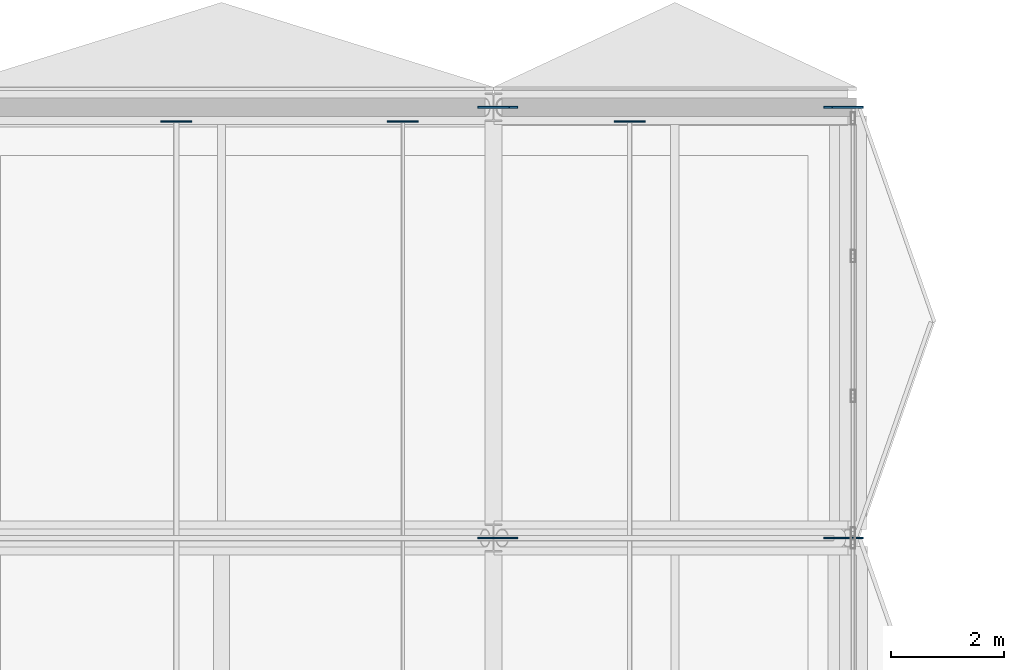
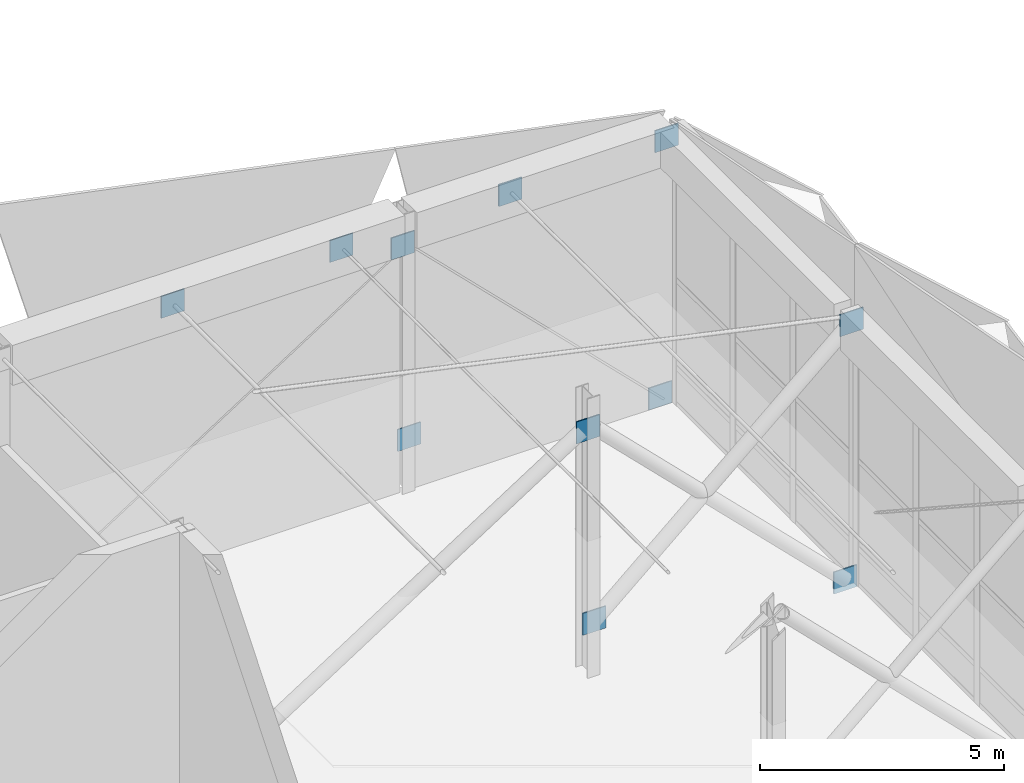
# One storey, part 30 of 46: 11 plates.
"""IFC4 building model written with IfcOpenShell, lengths in metres."""

import ifcopenshell
import ifcopenshell.guid

model = None  # the IFC model being written
_history = None  # IfcOwnerHistory: only IFC2X3 demands one
_inside = {}  # id of a spatial element -> (the spatial element, [elements in it])
_under = {}  # id of a project, library or spatial element -> (it, [spatial elements below it])
_declared = {}  # id of a project -> (the project, [libraries it declares])
_typed = {}  # id of a type object -> (the type object, [elements of that type])
_made_of = {}  # id of a material, layer set ... -> (it, [elements and type objects made of it])


def new_model(schema):
    """Start an empty IFC model of exactly this schema.

    Asked for "IFC4X3", IfcOpenShell would pick the latest addendum, in which some entities
    have other attributes; the version numbers below select the first issue.
    IFC2X3 requires an IfcOwnerHistory on every rooted entity: one is made here for all.
    """
    global model, _history
    if schema == "IFC4X3":
        model = ifcopenshell.file(schema_version=(4, 3, 0, 0))
    else:
        model = ifcopenshell.file(schema=schema)
    _inside.clear()
    _under.clear()
    _declared.clear()
    _typed.clear()
    _made_of.clear()
    _history = None
    if model.schema == "IFC2X3":
        org = make("IfcOrganization", Name="unknown")
        user = make(
            "IfcPersonAndOrganization",
            ThePerson=make("IfcPerson", FamilyName="unknown"),
            TheOrganization=org,
        )
        app = make(
            "IfcApplication",
            ApplicationDeveloper=org,
            Version="unknown",
            ApplicationFullName="unknown",
            ApplicationIdentifier="unknown",
        )
        _history = make(
            "IfcOwnerHistory",
            OwningUser=user,
            OwningApplication=app,
            ChangeAction="ADDED",
            CreationDate=0,
        )
    return model


def make(cls, **values):
    """One entity of the class cls with the attributes given. An attribute that is None is left unset."""
    return model.create_entity(
        cls, **{name: value for name, value in values.items() if value is not None}
    )


def rooted(cls, **values):
    """An entity with a GlobalId (a new one), such as an element, a storey or a relation."""
    return make(cls, GlobalId=ifcopenshell.guid.new(), OwnerHistory=_history, **values)


def si_unit(unit_type, name, prefix=None):
    """IfcSIUnit, for example si_unit("LENGTHUNIT", "METRE", prefix="MILLI")."""
    return make("IfcSIUnit", UnitType=unit_type, Prefix=prefix, Name=name)


def assignment(units):
    """IfcUnitAssignment: the units of a project."""
    return None if units is None else make("IfcUnitAssignment", Units=units)


def point(xyz):
    """IfcCartesianPoint."""
    return None if xyz is None else make("IfcCartesianPoint", Coordinates=xyz)


def direction(xyz):
    """IfcDirection."""
    return None if xyz is None else make("IfcDirection", DirectionRatios=xyz)


def frame(location, z_axis=None, x_axis=None):
    """IfcAxis2Placement3D, a coordinate frame: its origin and axes. An axis left out is left unset."""
    return make(
        "IfcAxis2Placement3D",
        Location=point(location),
        Axis=direction(z_axis),
        RefDirection=direction(x_axis),
    )


def frame_2d(location, x_axis=None):
    """IfcAxis2Placement2D, a coordinate frame in the plane: its origin and x axis."""
    return make(
        "IfcAxis2Placement2D", Location=point(location), RefDirection=direction(x_axis)
    )


def origin():
    """The frame at (0, 0, 0) with its axes left unset."""
    return frame((0.0, 0.0, 0.0))


def origin_2d():
    """The frame at (0, 0) in the plane with its x axis left unset."""
    return frame_2d((0.0, 0.0))


def place(relative_to, where):
    """IfcLocalPlacement: puts the frame where relative to a parent placement (None: the world)."""
    return make(
        "IfcLocalPlacement", PlacementRelTo=relative_to, RelativePlacement=where
    )


def context(
    kind, dimensions, precision=None, world=None, true_north=None, identifier=None
):
    """IfcGeometricRepresentationContext, for example the 3D "Model" context."""
    return make(
        "IfcGeometricRepresentationContext",
        ContextIdentifier=identifier,
        ContextType=kind,
        CoordinateSpaceDimension=dimensions,
        Precision=precision,
        WorldCoordinateSystem=world,
        TrueNorth=true_north,
    )


def subcontext(parent, identifier, kind, view, scale=None):
    """IfcGeometricRepresentationSubContext, for example "Body" below "Model"."""
    return make(
        "IfcGeometricRepresentationSubContext",
        ContextIdentifier=identifier,
        ContextType=kind,
        ParentContext=parent,
        TargetScale=scale,
        TargetView=view,
    )


def project(units=None, contexts=None):
    """IfcProject with its units and contexts."""
    return rooted(
        "IfcProject",
        Name="project",
        RepresentationContexts=contexts,
        UnitsInContext=assignment(units),
    )


def spatial(cls, under=None, at=None, **own):
    """A site, building, storey or space (cls), placed at a placement, below another one or the project."""
    s = rooted(cls, ObjectPlacement=at, **own)
    if under is not None:
        _under.setdefault(under.id(), (under, []))[1].append(s)
    return s


def profile(cls, at=None, kind="AREA", **sizes):
    """A parametric profile (cls). Its sizes go by their IFC names, for example OverallWidth=200.0."""
    return make(cls, ProfileType=kind, Position=at, **sizes)


def rectangle(**sizes):
    """IfcRectangleProfileDef."""
    return profile("IfcRectangleProfileDef", **sizes)


def extrude(swept, where, along, depth):
    """IfcExtrudedAreaSolid: the profile swept, set in the frame where, extruded along a direction by depth."""
    return make(
        "IfcExtrudedAreaSolid",
        SweptArea=swept,
        Position=where,
        ExtrudedDirection=direction(along),
        Depth=depth,
    )


def shape(context_of_items, identifier, shape_type, items):
    """IfcShapeRepresentation: the items that make up one representation, for example the "Body"."""
    return make(
        "IfcShapeRepresentation",
        ContextOfItems=context_of_items,
        RepresentationIdentifier=identifier,
        RepresentationType=shape_type,
        Items=items,
    )


def material(Name=None, Category=None):
    """IfcMaterial."""
    return make("IfcMaterial", Name=Name, Category=Category)


def layer(
    of_material, thickness, ventilated=None, Name=None, Category=None, Priority=None
):
    """IfcMaterialLayer: one layer of a wall or slab, of a material (None: an air gap)."""
    return make(
        "IfcMaterialLayer",
        Material=of_material,
        LayerThickness=thickness,
        IsVentilated=ventilated,
        Name=Name,
        Category=Category,
        Priority=Priority,
    )


def layer_set(layers, Name=None):
    """IfcMaterialLayerSet."""
    return make("IfcMaterialLayerSet", MaterialLayers=layers, LayerSetName=Name)


def made_of(thing, what):
    """Note that an element or type object is made of a material, layer set ...; save() writes the relation."""
    if what is not None:
        _made_of.setdefault(what.id(), (what, []))[1].append(thing)
    return thing


def type_object(cls, material=None, **own):
    """A type object (cls), such as IfcWallType, which elements share."""
    return made_of(rooted(cls, **own), material)


def element(
    cls,
    number,
    at=None,
    inside=None,
    cuts=None,
    type_object=None,
    material=None,
    context=None,
    identifier="Body",
    shape_type=None,
    held_by="IfcProductDefinitionShape",
    body=None,
    shapes=None,
    **own,
):
    """One element of the class cls, such as IfcWall. Its Tag is "e" and its number.

    at: its placement. inside: the storey or other place that contains it. cuts: it is an
    opening in that element (IfcRelVoidsElement). A single representation is given by context,
    identifier, shape_type and body (its items); several are given by shapes. held_by: the class
    of the entity that holds the representations. save() writes the other relations.
    """
    e = rooted(cls, Tag="e%d" % number, ObjectPlacement=at, **own)
    if body is not None:
        shapes = [shape(context, identifier, shape_type, body)]
    if shapes is not None:
        e.Representation = make(held_by, Representations=shapes)
    if inside is not None:
        _inside.setdefault(inside.id(), (inside, []))[1].append(e)
    if cuts is not None:
        rooted(
            "IfcRelVoidsElement", RelatingBuildingElement=cuts, RelatedOpeningElement=e
        )
    if type_object is not None:
        _typed.setdefault(type_object.id(), (type_object, []))[1].append(e)
    return made_of(e, material)


def aggregate(whole, parts):
    """IfcRelAggregates: a whole, such as a stair, and the parts it consists of."""
    return rooted("IfcRelAggregates", RelatingObject=whole, RelatedObjects=parts)


def save(model, path):
    """Write the relations noted so far, then the file.

    IfcRelAggregates (storeys below a building ...), IfcRelContainedInSpatialStructure (elements
    in a storey), IfcRelDefinesByType, IfcRelAssociatesMaterial and IfcRelDeclares: one each for
    every whole, place, type object, material and project.
    """
    for whole, parts in _under.values():
        aggregate(whole, parts)
    for where, things in _inside.values():
        rooted(
            "IfcRelContainedInSpatialStructure",
            RelatedElements=things,
            RelatingStructure=where,
        )
    for kind, things in _typed.values():
        rooted("IfcRelDefinesByType", RelatedObjects=things, RelatingType=kind)
    for what, things in _made_of.values():
        rooted("IfcRelAssociatesMaterial", RelatedObjects=things, RelatingMaterial=what)
    for by, libraries in _declared.values():
        rooted("IfcRelDeclares", RelatingContext=by, RelatedDefinitions=libraries)
    model.write(path)


model = new_model("IFC4")

# Units and contexts
model_context = context("Model", 3, precision=1e-05, world=origin(), true_north=direction((0.0, 1.0)))
body_context = subcontext(model_context, "Body", "Model", "MODEL_VIEW")
ifc_project = project(units=[si_unit("LENGTHUNIT", "METRE"), si_unit("AREAUNIT", "SQUARE_METRE"), si_unit("VOLUMEUNIT", "CUBIC_METRE"), si_unit("PLANEANGLEUNIT", "RADIAN"), si_unit("MASSUNIT", "GRAM", prefix="KILO")], contexts=[model_context])

# Site, building, storey
site_placement = place(None, origin())
site = spatial("IfcSite", under=ifc_project, at=site_placement, CompositionType="ELEMENT")
building_placement = place(site_placement, origin())
building = spatial("IfcBuilding", under=site, at=building_placement, Name="Khelvaren Railside Concert Hall", CompositionType="ELEMENT")
storey_placement = place(building_placement, frame((0.0, 0.0, 19.800048828125)))
storey = spatial("IfcBuildingStorey", under=building, at=storey_placement, Name="L04", CompositionType="ELEMENT", Elevation=19.800048828125)

# Plates
ifc_material = material(Name="Steel S355", Category="steel")
ifc_layer = layer(ifc_material, 0.028076171875)
ifc_layer_set = layer_set([ifc_layer], Name="Steel S355")
plate_type = type_object("IfcPlateType", Name="GP71", PredefinedType="USERDEFINED", material=ifc_layer_set)
for number, where, z_axis, x_axis, name in (
    (1, (55.699951171875, 38.0, -0.125), (0.0, 0.0, 1.0), (1.0, 0.0, 0.0), "Cantilever Truss End Node Assembly L04-6-TIP"),
    (2, (49.60009765625, 38.0, 5.77490234375), (0.0, 0.0, 1.0), (1.0, 0.0, 0.0), "Cantilever Truss End Node Assembly L04-6-TOP"),
    (3, (55.699951171875, 45.60009765625, -0.125), (0.0, 0.0, 1.0), (1.0, 0.0, 0.0), "Cantilever Truss End Node Assembly L04-7-TIP"),
    (4, (49.60009765625, 45.60009765625, 5.77490234375), (0.0, 0.0, 1.0), (1.0, 0.0, 0.0), "Cantilever Truss End Node Assembly L04-7-TOP"),
    (5, (49.75, 38.0, 0.9248046875), (0.0, 0.0, 1.0), (1.0, 0.0, 0.0), "East Ring Strut End Node Cap 6-BOT"),
    (6, (55.85009765625, 38.0, 6.27490234375), (0.0, 0.0, 1.0), (1.0, 0.0, 0.0), "East Ring Strut End Node Cap 6-TOP"),
    (7, (49.75, 45.60009765625, 0.9248046875), (0.0, 0.0, 1.0), (1.0, 0.0, 0.0), "East Ring Strut End Node Cap 7-BOT"),
    (8, (55.85009765625, 45.60009765625, 6.27490234375), (0.0, 0.0, 1.0), (1.0, 0.0, 0.0), "East Ring Strut End Node Cap 7-TOP"),
    (9, (44.0, 45.35009765625, 6.4248046875), (0.0, 0.0, 1.0), (1.0, 0.0, 0.0), "Cable Anchorage Gusset Plate N-11"),
    (10, (48.0, 45.35009765625, 6.4248046875), (0.0, 0.0, 1.0), (1.0, 0.0, 0.0), "Cable Anchorage Gusset Plate N-12"),
    (11, (52.0, 45.35009765625, 6.4248046875), (0.0, 0.0, 1.0), (1.0, 0.0, 0.0), "Cable Anchorage Gusset Plate N-13"),
):
    element("IfcPlate", number, at=place(storey_placement, frame(where, z_axis=z_axis, x_axis=x_axis)), inside=storey, type_object=plate_type, Name=name, ObjectType="GUSSET PLATE", PredefinedType="USERDEFINED", context=body_context, shape_type="SweptSolid", body=[
        extrude(rectangle(XDim=0.550048828125, YDim=0.028076171875, at=origin_2d()), origin(), (0.0, 0.0, 1.0), 0.550048828125),
    ])

save(model, "model.ifc")
